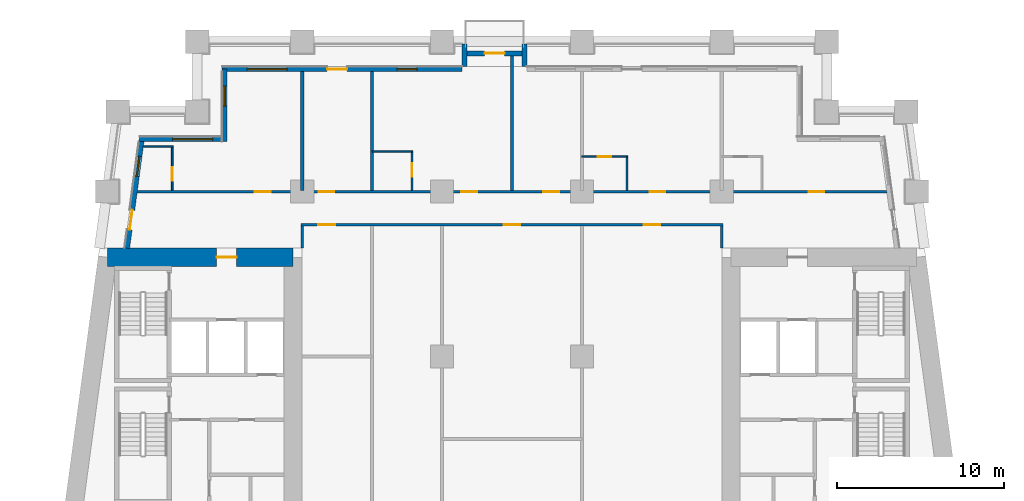
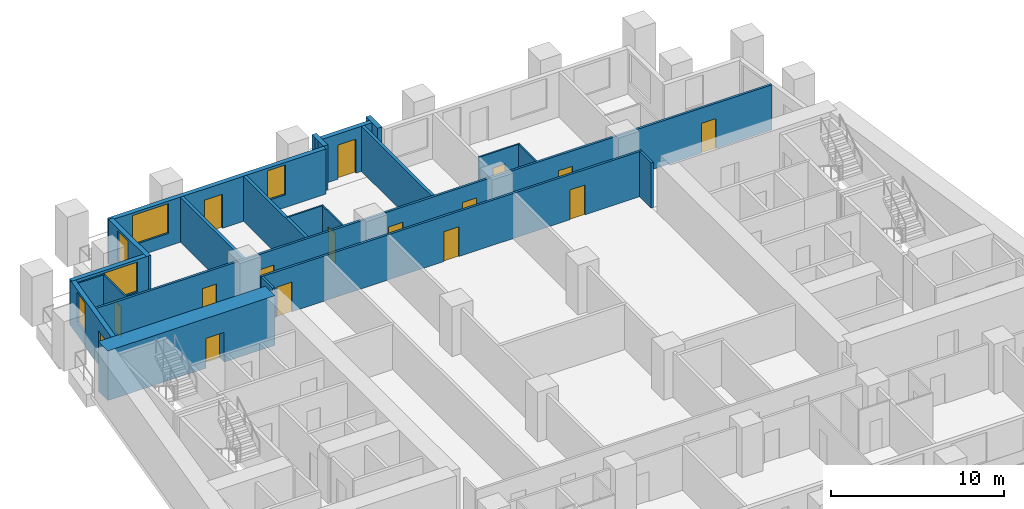
# One storey, part 6 of 12: 21 walls, 16 doors, 5 windows, 21 openings.
"""IFC4 building model written with IfcOpenShell, lengths in metres."""

from ifc_helpers import new_model, si_unit, direction, frame, frame_2d, origin, place, context, subcontext, project, spatial, rectangle, extrude, material, layer, layer_set, type_object, element, fill, save


model = new_model("IFC4")

# Units and contexts
model_context = context("Model", 3, precision=1e-05, world=origin(), true_north=direction((0.0, 1.0)))
body_context = subcontext(model_context, "Body", "Model", "MODEL_VIEW")
ifc_project = project(units=[si_unit("LENGTHUNIT", "METRE"), si_unit("AREAUNIT", "SQUARE_METRE"), si_unit("VOLUMEUNIT", "CUBIC_METRE"), si_unit("PLANEANGLEUNIT", "RADIAN"), si_unit("MASSUNIT", "GRAM", prefix="KILO")], contexts=[model_context])

# Site, building, storey
site_placement = place(None, origin())
site = spatial("IfcSite", under=ifc_project, at=site_placement, CompositionType="ELEMENT")
building_placement = place(site_placement, origin())
building = spatial("IfcBuilding", under=site, at=building_placement, Name="Candeia Pilgrim Tower and Theatre", CompositionType="ELEMENT")
storey_placement = place(building_placement, frame((0.0, 0.0, 74.0)))
storey = spatial("IfcBuildingStorey", under=building, at=storey_placement, Name="L16", CompositionType="ELEMENT", Elevation=74.0)

# Wall, opening, door
ifc_material_1 = material(Name="Concrete C80/95", Category="concrete")
ifc_layer_1 = layer(ifc_material_1, 1.10009765625)
ifc_layer_set_1 = layer_set([ifc_layer_1], Name="Core wall 1100 C80/95")
wall_type_1 = type_object("IfcWallType", Name="Core wall 1100 C80/95", PredefinedType="SHEAR", material=ifc_layer_set_1)
wall_1_placement = place(storey_placement, frame((89.111572265625, 131.85009765625, 0.0), z_axis=(0.0, 0.0, 1.0), x_axis=(1.0, 0.0, 0.0)))
wall_1 = element("IfcWall", 1, at=wall_1_placement, inside=storey, type_object=wall_type_1, Name="Core wall W1", PredefinedType="SHEAR", context=body_context, shape_type="SweptSolid", body=[
    extrude(rectangle(XDim=11.138427734375, YDim=1.10009765625, at=frame_2d((5.5693359375, 0.0))), origin(), (0.0, 0.0, 1.0), 3.5),
])
opening_1_placement = place(wall_1_placement, frame((6.5517578125, 0.0, 0.0)))
opening_1 = element("IfcOpeningElement", 2, at=opening_1_placement, cuts=wall_1, Name="Opening L16-D047", PredefinedType="OPENING", context=body_context, shape_type="SweptSolid", body=[
    extrude(rectangle(XDim=1.199951171875, YDim=2.10009765625, at=frame_2d((0.60009765625, 1.050048828125))), frame((0.0, 0.56005859375, 0.0), z_axis=(0.0, -1.0, 0.0), x_axis=(1.0, 0.0, 0.0)), (0.0, 0.0, 1.0), 1.1201171875),
])
ifc_material_2 = material(Name="Steel fire door set", Category="steel")
door_type_1 = type_object("IfcDoorType", Name="D-1200-FD60", OperationType="NOTDEFINED", PredefinedType="DOOR", material=ifc_material_2)
door_1_placement = place(opening_1_placement, origin())
door_1 = element("IfcDoor", 3, at=door_1_placement, inside=storey, type_object=door_type_1, Name="Door L16-D047", OperationType="SINGLE_SWING_LEFT", OverallHeight=2.10009765625, OverallWidth=1.199951171875, PredefinedType="DOOR", context=body_context, shape_type="SweptSolid", body=[
    extrude(rectangle(XDim=1.199951171875, YDim=2.10009765625, at=frame_2d((0.60009765625, 1.050048828125))), frame((0.0, 0.02490234375, 0.0), z_axis=(0.0, -1.0, 0.0), x_axis=(1.0, 0.0, 0.0)), (0.0, 0.0, 1.0), 0.050048828125),
])
fill(opening_1, door_1)

# Wall, openings, door, windows
ifc_material_3 = material(Name="Ceramic block masonry", Category="masonry")
ifc_layer_2 = layer(ifc_material_3, 0.300048828125)
ifc_layer_set_2 = layer_set([ifc_layer_2], Name="EW1 glazing-line wall 300")
wall_type_2 = type_object("IfcWallType", Name="EW1 glazing-line wall 300", PredefinedType="SOLIDWALL", material=ifc_layer_set_2)
wall_2_placement = place(storey_placement, frame((110.39990234375, 143.14990234375, 0.0), z_axis=(0.0, 0.0, 1.0), x_axis=(-1.0, 0.0, 0.0)))
wall_2 = element("IfcWall", 4, at=wall_2_placement, inside=storey, type_object=wall_type_2, Name="External wall L16-6.1", PredefinedType="SOLIDWALL", context=body_context, shape_type="SweptSolid", body=[
    extrude(rectangle(XDim=14.39990234375, YDim=0.300048828125, at=frame_2d((7.199951171875, 0.0))), origin(), (0.0, 0.0, 1.0), 3.179931640625),
])
opening_2_placement = place(wall_2_placement, frame((2.699951171875, 0.0, 0.89990234375)))
opening_2 = element("IfcOpeningElement", 5, at=opening_2_placement, cuts=wall_2, Name="Opening W-B", PredefinedType="OPENING", context=body_context, shape_type="SweptSolid", body=[
    extrude(rectangle(XDim=1.199951171875, YDim=2.10009765625, at=frame_2d((0.60009765625, 1.050048828125))), frame((0.0, 0.16015625, 0.0), z_axis=(0.0, -1.0, 0.0), x_axis=(1.0, 0.0, 0.0)), (0.0, 0.0, 1.0), 0.320068359375),
])
opening_3_placement = place(wall_2_placement, frame((6.89990234375, 0.0, 0.0)))
opening_3 = element("IfcOpeningElement", 6, at=opening_3_placement, cuts=wall_2, Name="Opening L16-ED179", PredefinedType="OPENING", context=body_context, shape_type="SweptSolid", body=[
    extrude(rectangle(XDim=1.199951171875, YDim=2.39990234375, at=frame_2d((0.60009765625, 1.199951171875))), frame((0.0, 0.16015625, 0.0), z_axis=(0.0, -1.0, 0.0), x_axis=(1.0, 0.0, 0.0)), (0.0, 0.0, 1.0), 0.320068359375),
])
opening_4_placement = place(wall_2_placement, frame((10.5, 0.0, 0.89990234375)))
opening_4 = element("IfcOpeningElement", 7, at=opening_4_placement, cuts=wall_2, Name="Opening W-A", PredefinedType="OPENING", context=body_context, shape_type="SweptSolid", body=[
    extrude(rectangle(XDim=2.39990234375, YDim=2.10009765625, at=frame_2d((1.199951171875, 1.050048828125))), frame((0.0, 0.16015625, 0.0), z_axis=(0.0, -1.0, 0.0), x_axis=(1.0, 0.0, 0.0)), (0.0, 0.0, 1.0), 0.320068359375),
])
ifc_material_4 = material(Name="Aluminium framed glazed door", Category="aluminium")
door_type_2 = type_object("IfcDoorType", Name="Loggia door 1200x2400", OperationType="DOUBLE_DOOR_SINGLE_SWING", PredefinedType="DOOR", material=ifc_material_4)
door_2_placement = place(opening_3_placement, origin())
door_2 = element("IfcDoor", 8, at=door_2_placement, inside=storey, type_object=door_type_2, Name="Loggia door L16-ED179", OperationType="DOUBLE_DOOR_SINGLE_SWING", OverallHeight=2.39990234375, OverallWidth=1.199951171875, PredefinedType="DOOR", context=body_context, shape_type="SweptSolid", body=[
    extrude(rectangle(XDim=1.199951171875, YDim=2.39990234375, at=frame_2d((0.60009765625, 1.199951171875))), frame((0.0, 0.02490234375, 0.0), z_axis=(0.0, -1.0, 0.0), x_axis=(1.0, 0.0, 0.0)), (0.0, 0.0, 1.0), 0.050048828125),
])
fill(opening_3, door_2)
ifc_material_5 = material(Name="Aluminium framed double glazing", Category="aluminium")
window_type_1 = type_object("IfcWindowType", Name="W-A window 2400x2100", PartitioningType="DOUBLE_PANEL_VERTICAL", PredefinedType="WINDOW", material=ifc_material_5)
window_1_placement = place(opening_4_placement, origin())
window_1 = element("IfcWindow", 9, at=window_1_placement, inside=storey, type_object=window_type_1, Name="Window W-A L16", OverallHeight=2.10009765625, OverallWidth=2.39990234375, PartitioningType="SINGLE_PANEL", PredefinedType="WINDOW", context=body_context, shape_type="SweptSolid", body=[
    extrude(rectangle(XDim=2.39990234375, YDim=2.10009765625, at=frame_2d((1.199951171875, 1.050048828125))), frame((0.0, 0.030029296875, 0.0), z_axis=(0.0, -1.0, 0.0), x_axis=(1.0, 0.0, 0.0)), (0.0, 0.0, 1.0), 0.06005859375),
])
fill(opening_4, window_1)
window_type_2 = type_object("IfcWindowType", Name="W-B window 1200x2100", PartitioningType="SINGLE_PANEL", PredefinedType="WINDOW", material=ifc_material_5)
window_2_placement = place(opening_2_placement, origin())
window_2 = element("IfcWindow", 10, at=window_2_placement, inside=storey, type_object=window_type_2, Name="Window W-B L16", OverallHeight=2.10009765625, OverallWidth=1.199951171875, PartitioningType="SINGLE_PANEL", PredefinedType="WINDOW", context=body_context, shape_type="SweptSolid", body=[
    extrude(rectangle(XDim=1.199951171875, YDim=2.10009765625, at=frame_2d((0.60009765625, 1.050048828125))), frame((0.0, 0.030029296875, 0.0), z_axis=(0.0, -1.0, 0.0), x_axis=(1.0, 0.0, 0.0)), (0.0, 0.0, 1.0), 0.06005859375),
])
fill(opening_2, window_2)

# Wall, opening, window
wall_3_placement = place(storey_placement, frame((96.14990234375, 143.14990234375, 0.0), z_axis=(0.0, 0.0, 1.0), x_axis=(0.0, -1.0, 0.0)))
wall_3 = element("IfcWall", 11, at=wall_3_placement, inside=storey, type_object=wall_type_2, Name="External wall L16-7.0", PredefinedType="SOLIDWALL", context=body_context, shape_type="SweptSolid", body=[
    extrude(rectangle(XDim=4.349853515625, YDim=0.300048828125, at=frame_2d((2.1748046875, 0.0))), origin(), (0.0, 0.0, 1.0), 3.179931640625),
])
opening_5_placement = place(wall_3_placement, frame((1.02490234375, 0.0, 0.89990234375)))
opening_5 = element("IfcOpeningElement", 12, at=opening_5_placement, cuts=wall_3, Name="Opening W-B", PredefinedType="OPENING", context=body_context, shape_type="SweptSolid", body=[
    extrude(rectangle(XDim=1.199951171875, YDim=2.10009765625, at=frame_2d((0.60009765625, 1.050048828125))), frame((0.0, 0.16015625, 0.0), z_axis=(0.0, -1.0, 0.0), x_axis=(1.0, 0.0, 0.0)), (0.0, 0.0, 1.0), 0.320068359375),
])
window_3_placement = place(opening_5_placement, origin())
window_3 = element("IfcWindow", 13, at=window_3_placement, inside=storey, type_object=window_type_2, Name="Window W-B L16", OverallHeight=2.10009765625, OverallWidth=1.199951171875, PartitioningType="SINGLE_PANEL", PredefinedType="WINDOW", context=body_context, shape_type="SweptSolid", body=[
    extrude(rectangle(XDim=1.199951171875, YDim=2.10009765625, at=frame_2d((0.60009765625, 1.050048828125))), frame((0.0, 0.030029296875, 0.0), z_axis=(0.0, -1.0, 0.0), x_axis=(1.0, 0.0, 0.0)), (0.0, 0.0, 1.0), 0.06005859375),
])
fill(opening_5, window_3)

wall_4_placement = place(storey_placement, frame((96.14990234375, 138.949951171875, 0.0), z_axis=(0.0, 0.0, 1.0), x_axis=(-1.0, 0.0, 0.0)))
wall_4 = element("IfcWall", 14, at=wall_4_placement, inside=storey, type_object=wall_type_2, Name="External wall L16-8.0", PredefinedType="SOLIDWALL", context=body_context, shape_type="SweptSolid", body=[
    extrude(rectangle(XDim=5.103759765625, YDim=0.300048828125, at=frame_2d((2.5517578125, 0.0))), origin(), (0.0, 0.0, 1.0), 3.179931640625),
])
opening_6_placement = place(wall_4_placement, frame((0.72509765625, 0.0, 0.89990234375)))
opening_6 = element("IfcOpeningElement", 15, at=opening_6_placement, cuts=wall_4, Name="Opening W-A", PredefinedType="OPENING", context=body_context, shape_type="SweptSolid", body=[
    extrude(rectangle(XDim=2.39990234375, YDim=2.10009765625, at=frame_2d((1.199951171875, 1.050048828125))), frame((0.0, 0.16015625, 0.0), z_axis=(0.0, -1.0, 0.0), x_axis=(1.0, 0.0, 0.0)), (0.0, 0.0, 1.0), 0.320068359375),
])
window_4_placement = place(opening_6_placement, origin())
window_4 = element("IfcWindow", 16, at=window_4_placement, inside=storey, type_object=window_type_1, Name="Window W-A L16", OverallHeight=2.10009765625, OverallWidth=2.39990234375, PartitioningType="SINGLE_PANEL", PredefinedType="WINDOW", context=body_context, shape_type="SweptSolid", body=[
    extrude(rectangle(XDim=2.39990234375, YDim=2.10009765625, at=frame_2d((1.199951171875, 1.050048828125))), frame((0.0, 0.030029296875, 0.0), z_axis=(0.0, -1.0, 0.0), x_axis=(1.0, 0.0, 0.0)), (0.0, 0.0, 1.0), 0.06005859375),
])
fill(opening_6, window_4)

# Wall, openings, door, window
wall_5_placement = place(storey_placement, frame((91.177490234375, 138.949951171875, 0.0), z_axis=(0.0, 0.0, 1.0), x_axis=(-0.133426664613, -0.991058689065, 0.0)))
wall_5 = element("IfcWall", 17, at=wall_5_placement, inside=storey, type_object=wall_type_2, Name="External wall L16-9.0", PredefinedType="SOLIDWALL", context=body_context, shape_type="SweptSolid", body=[
    extrude(rectangle(XDim=6.609130859375, YDim=0.300048828125, at=frame_2d((3.3046875, 0.0))), origin(), (0.0, 0.0, 1.0), 3.179931640625),
])
opening_7_placement = place(wall_5_placement, frame((1.039306640625, 0.0, 0.89990234375)))
opening_7 = element("IfcOpeningElement", 18, at=opening_7_placement, cuts=wall_5, Name="Opening W-B", PredefinedType="OPENING", context=body_context, shape_type="SweptSolid", body=[
    extrude(rectangle(XDim=1.199951171875, YDim=2.10009765625, at=frame_2d((0.60009765625, 1.050048828125))), frame((0.0, 0.16015625, 0.0), z_axis=(0.0, -1.0, 0.0), x_axis=(1.0, 0.0, 0.0)), (0.0, 0.0, 1.0), 0.320068359375),
])
opening_8_placement = place(wall_5_placement, frame((4.293701171875, 0.0, 0.0)))
opening_8 = element("IfcOpeningElement", 19, at=opening_8_placement, cuts=wall_5, Name="Opening L16-ED181", PredefinedType="OPENING", context=body_context, shape_type="SweptSolid", body=[
    extrude(rectangle(XDim=1.199951171875, YDim=2.39990234375, at=frame_2d((0.60009765625, 1.199951171875))), frame((0.0, 0.16015625, 0.0), z_axis=(0.0, -1.0, 0.0), x_axis=(1.0, 0.0, 0.0)), (0.0, 0.0, 1.0), 0.320068359375),
])
door_3_placement = place(opening_8_placement, origin())
door_3 = element("IfcDoor", 20, at=door_3_placement, inside=storey, type_object=door_type_2, Name="Loggia door L16-ED181", OperationType="DOUBLE_DOOR_SINGLE_SWING", OverallHeight=2.39990234375, OverallWidth=1.199951171875, PredefinedType="DOOR", context=body_context, shape_type="SweptSolid", body=[
    extrude(rectangle(XDim=1.199951171875, YDim=2.39990234375, at=frame_2d((0.60009765625, 1.199951171875))), frame((0.0, 0.02490234375, 0.0), z_axis=(0.0, -1.0, 0.0), x_axis=(1.0, 0.0, 0.0)), (0.0, 0.0, 1.0), 0.050048828125),
])
fill(opening_8, door_3)
window_5_placement = place(opening_7_placement, origin())
window_5 = element("IfcWindow", 21, at=window_5_placement, inside=storey, type_object=window_type_2, Name="Window W-B L16", OverallHeight=2.10009765625, OverallWidth=1.199951171875, PartitioningType="SINGLE_PANEL", PredefinedType="WINDOW", context=body_context, shape_type="SweptSolid", body=[
    extrude(rectangle(XDim=1.199951171875, YDim=2.10009765625, at=frame_2d((0.60009765625, 1.050048828125))), frame((0.0, 0.030029296875, 0.0), z_axis=(0.0, -1.0, 0.0), x_axis=(1.0, 0.0, 0.0)), (0.0, 0.0, 1.0), 0.06005859375),
])
fill(opening_7, window_5)

# Walls
ifc_layer_3 = layer(ifc_material_3, 0.300048828125)
ifc_layer_set_3 = layer_set([ifc_layer_3], Name="EW2 entrance infill wall 300")
wall_type_3 = type_object("IfcWallType", Name="EW2 entrance infill wall 300", PredefinedType="SOLIDWALL", material=ifc_layer_set_3)
for number, where, z_axis, x_axis, name in (
    (22, (114.14990234375, 143.300048828125, 0.0), (0.0, 0.0, 1.0), (0.0, 1.0, 0.0), "Alcove wall L16"),
    (23, (110.550048828125, 143.300048828125, 0.0), (0.0, 0.0, 1.0), (0.0, 1.0, 0.0), "Alcove wall L16"),
):
    element("IfcWall", number, at=place(storey_placement, frame(where, z_axis=z_axis, x_axis=x_axis)), inside=storey, type_object=wall_type_3, Name=name, PredefinedType="SOLIDWALL", context=body_context, shape_type="SweptSolid", body=[
        extrude(rectangle(XDim=1.349853515625, YDim=0.300048828125, at=frame_2d((0.6748046875, 0.0))), origin(), (0.0, 0.0, 1.0), 3.179931640625),
    ])

# Wall, opening, door
wall_6_placement = place(storey_placement, frame((114.300048828125, 144.10009765625, 0.0), z_axis=(0.0, 0.0, 1.0), x_axis=(-1.0, 0.0, 0.0)))
wall_6 = element("IfcWall", 24, at=wall_6_placement, inside=storey, type_object=wall_type_3, Name="Alcove wall L16", PredefinedType="SOLIDWALL", context=body_context, shape_type="SweptSolid", body=[
    extrude(rectangle(XDim=3.900146484375, YDim=0.300048828125, at=frame_2d((1.9501953125, 0.0))), origin(), (0.0, 0.0, 1.0), 3.179931640625),
])
opening_9_placement = place(wall_6_placement, frame((1.35009765625, 0.0, 0.0)))
opening_9 = element("IfcOpeningElement", 25, at=opening_9_placement, cuts=wall_6, Name="Opening L16-ED180", PredefinedType="OPENING", context=body_context, shape_type="SweptSolid", body=[
    extrude(rectangle(XDim=1.199951171875, YDim=2.39990234375, at=frame_2d((0.60009765625, 1.199951171875))), frame((0.0, 0.16015625, 0.0), z_axis=(0.0, -1.0, 0.0), x_axis=(1.0, 0.0, 0.0)), (0.0, 0.0, 1.0), 0.320068359375),
])
door_4_placement = place(opening_9_placement, origin())
door_4 = element("IfcDoor", 26, at=door_4_placement, inside=storey, type_object=door_type_2, Name="Balcony door L16-ED180", OperationType="DOUBLE_DOOR_SINGLE_SWING", OverallHeight=2.39990234375, OverallWidth=1.199951171875, PredefinedType="DOOR", context=body_context, shape_type="SweptSolid", body=[
    extrude(rectangle(XDim=1.199951171875, YDim=2.39990234375, at=frame_2d((0.60009765625, 1.199951171875))), frame((0.0, 0.02490234375, 0.0), z_axis=(0.0, -1.0, 0.0), x_axis=(1.0, 0.0, 0.0)), (0.0, 0.0, 1.0), 0.050048828125),
])
fill(opening_9, door_4)

ifc_material_6 = material(Name="Gypsum board partition on steel studs", Category="steel")
ifc_layer_4 = layer(ifc_material_6, 0.10009765625)
ifc_layer_set_4 = layer_set([ifc_layer_4], Name="PW-100 room partition")
wall_type_4 = type_object("IfcWallType", Name="PW-100 room partition", PredefinedType="PARTITIONING", material=ifc_layer_set_4)
wall_7_placement = place(storey_placement, frame((117.60009765625, 137.89990234375, 0.0), z_axis=(0.0, 0.0, 1.0), x_axis=(1.0, 0.0, 0.0)))
wall_7 = element("IfcWall", 27, at=wall_7_placement, inside=storey, type_object=wall_type_4, Name="Room partition L16-039", PredefinedType="PARTITIONING", context=body_context, shape_type="SweptSolid", body=[
    extrude(rectangle(XDim=2.75, YDim=0.10009765625, at=frame_2d((1.375, 0.0))), origin(), (0.0, 0.0, 1.0), 3.179931640625),
])
opening_10_placement = place(wall_7_placement, frame((0.949951171875, 0.0, 0.0)))
opening_10 = element("IfcOpeningElement", 28, at=opening_10_placement, cuts=wall_7, Name="Opening L16-D035", PredefinedType="OPENING", context=body_context, shape_type="SweptSolid", body=[
    extrude(rectangle(XDim=0.800048828125, YDim=2.10009765625, at=frame_2d((0.39990234375, 1.050048828125))), frame((0.0, 0.06005859375, 0.0), z_axis=(0.0, -1.0, 0.0), x_axis=(1.0, 0.0, 0.0)), (0.0, 0.0, 1.0), 0.1201171875),
])
ifc_material_7 = material(Name="Timber door leaf", Category="wood")
door_type_3 = type_object("IfcDoorType", Name="D-800", OperationType="NOTDEFINED", PredefinedType="DOOR", material=ifc_material_7)
door_5_placement = place(opening_10_placement, origin())
door_5 = element("IfcDoor", 29, at=door_5_placement, inside=storey, type_object=door_type_3, Name="Door L16-D035", OperationType="SINGLE_SWING_LEFT", OverallHeight=2.10009765625, OverallWidth=0.800048828125, PredefinedType="DOOR", context=body_context, shape_type="SweptSolid", body=[
    extrude(rectangle(XDim=0.800048828125, YDim=2.10009765625, at=frame_2d((0.39990234375, 1.050048828125))), frame((0.0, 0.02490234375, 0.0), z_axis=(0.0, -1.0, 0.0), x_axis=(1.0, 0.0, 0.0)), (0.0, 0.0, 1.0), 0.050048828125),
])
fill(opening_10, door_5)

# Walls
wall_8_placement = place(storey_placement, frame((105.0, 138.199951171875, 0.0), z_axis=(0.0, 0.0, 1.0), x_axis=(1.0, 0.0, 0.0)))
element("IfcWall", 30, at=wall_8_placement, inside=storey, type_object=wall_type_4, Name="Room partition L16-041", PredefinedType="PARTITIONING", context=body_context, shape_type="SweptSolid", body=[
    extrude(rectangle(XDim=2.449951171875, YDim=0.10009765625, at=frame_2d((1.22509765625, 0.0))), origin(), (0.0, 0.0, 1.0), 3.179931640625),
])
wall_9_placement = place(storey_placement, frame((91.258056640625, 138.5, 0.0), z_axis=(0.0, 0.0, 1.0), x_axis=(1.0, 0.0, 0.0)))
element("IfcWall", 31, at=wall_9_placement, inside=storey, type_object=wall_type_4, Name="Room partition L16-042", PredefinedType="PARTITIONING", context=body_context, shape_type="SweptSolid", body=[
    extrude(rectangle(XDim=1.7919921875, YDim=0.10009765625, at=frame_2d((0.89599609375, 0.0))), origin(), (0.0, 0.0, 1.0), 3.179931640625),
])

# Wall, opening, door
wall_10_placement = place(storey_placement, frame((93.0, 135.875, 0.0), z_axis=(0.0, 0.0, 1.0), x_axis=(0.0, 1.0, 0.0)))
wall_10 = element("IfcWall", 32, at=wall_10_placement, inside=storey, type_object=wall_type_4, Name="Room partition L16-055", PredefinedType="PARTITIONING", context=body_context, shape_type="SweptSolid", body=[
    extrude(rectangle(XDim=2.574951171875, YDim=0.10009765625, at=frame_2d((1.28759765625, 0.0))), origin(), (0.0, 0.0, 1.0), 3.179931640625),
])
opening_11_placement = place(wall_10_placement, frame((0.574951171875, 0.0, 0.0)))
opening_11 = element("IfcOpeningElement", 33, at=opening_11_placement, cuts=wall_10, Name="Opening L16-D029", PredefinedType="OPENING", context=body_context, shape_type="SweptSolid", body=[
    extrude(rectangle(XDim=0.800048828125, YDim=2.10009765625, at=frame_2d((0.39990234375, 1.050048828125))), frame((0.0, 0.06005859375, 0.0), z_axis=(0.0, -1.0, 0.0), x_axis=(1.0, 0.0, 0.0)), (0.0, 0.0, 1.0), 0.1201171875),
])
door_6_placement = place(opening_11_placement, origin())
door_6 = element("IfcDoor", 34, at=door_6_placement, inside=storey, type_object=door_type_3, Name="Door L16-D029", OperationType="SINGLE_SWING_LEFT", OverallHeight=2.10009765625, OverallWidth=0.800048828125, PredefinedType="DOOR", context=body_context, shape_type="SweptSolid", body=[
    extrude(rectangle(XDim=0.800048828125, YDim=2.10009765625, at=frame_2d((0.39990234375, 1.050048828125))), frame((0.0, 0.02490234375, 0.0), z_axis=(0.0, -1.0, 0.0), x_axis=(1.0, 0.0, 0.0)), (0.0, 0.0, 1.0), 0.050048828125),
])
fill(opening_11, door_6)

wall_11_placement = place(storey_placement, frame((107.39990234375, 135.875, 0.0), z_axis=(0.0, 0.0, 1.0), x_axis=(0.0, 1.0, 0.0)))
wall_11 = element("IfcWall", 35, at=wall_11_placement, inside=storey, type_object=wall_type_4, Name="Room partition L16-072", PredefinedType="PARTITIONING", context=body_context, shape_type="SweptSolid", body=[
    extrude(rectangle(XDim=2.27490234375, YDim=0.10009765625, at=frame_2d((1.137451171875, 0.0))), origin(), (0.0, 0.0, 1.0), 3.179931640625),
])
opening_12_placement = place(wall_11_placement, frame((0.81494140625, 0.0, 0.0)))
opening_12 = element("IfcOpeningElement", 36, at=opening_12_placement, cuts=wall_11, Name="Opening L16-D032", PredefinedType="OPENING", context=body_context, shape_type="SweptSolid", body=[
    extrude(rectangle(XDim=0.800048828125, YDim=2.10009765625, at=frame_2d((0.39990234375, 1.050048828125))), frame((0.0, 0.06005859375, 0.0), z_axis=(0.0, -1.0, 0.0), x_axis=(1.0, 0.0, 0.0)), (0.0, 0.0, 1.0), 0.1201171875),
])
door_7_placement = place(opening_12_placement, origin())
door_7 = element("IfcDoor", 37, at=door_7_placement, inside=storey, type_object=door_type_3, Name="Door L16-D032", OperationType="SINGLE_SWING_RIGHT", OverallHeight=2.10009765625, OverallWidth=0.800048828125, PredefinedType="DOOR", context=body_context, shape_type="SweptSolid", body=[
    extrude(rectangle(XDim=0.800048828125, YDim=2.10009765625, at=frame_2d((0.39990234375, 1.050048828125))), frame((0.0, 0.02490234375, 0.0), z_axis=(0.0, -1.0, 0.0), x_axis=(1.0, 0.0, 0.0)), (0.0, 0.0, 1.0), 0.050048828125),
])
fill(opening_12, door_7)

# Wall
wall_12_placement = place(storey_placement, frame((120.300048828125, 135.875, 0.0), z_axis=(0.0, 0.0, 1.0), x_axis=(0.0, 1.0, 0.0)))
element("IfcWall", 38, at=wall_12_placement, inside=storey, type_object=wall_type_4, Name="Room partition L16-078", PredefinedType="PARTITIONING", context=body_context, shape_type="SweptSolid", body=[
    extrude(rectangle(XDim=1.97509765625, YDim=0.10009765625, at=frame_2d((0.987548828125, 0.0))), origin(), (0.0, 0.0, 1.0), 3.179931640625),
])

# Wall, openings, doors
ifc_layer_5 = layer(ifc_material_6, 0.14990234375)
ifc_layer_set_5 = layer_set([ifc_layer_5], Name="PW-150 unit wall")
wall_type_5 = type_object("IfcWallType", Name="PW-150 unit wall", PredefinedType="PARTITIONING", material=ifc_layer_set_5)
wall_13_placement = place(storey_placement, frame((100.72509765625, 133.800048828125, 0.0), z_axis=(0.0, 0.0, 1.0), x_axis=(1.0, 0.0, 0.0)))
wall_13 = element("IfcWall", 39, at=wall_13_placement, inside=storey, type_object=wall_type_5, Name="Unit wall L16-037", PredefinedType="PARTITIONING", context=body_context, shape_type="SweptSolid", body=[
    extrude(rectangle(XDim=25.349853515625, YDim=0.14990234375, at=frame_2d((12.6748046875, 0.0))), origin(), (0.0, 0.0, 1.0), 3.179931640625),
])
opening_13_placement = place(wall_13_placement, frame((1.050048828125, 0.0, 0.0)))
opening_13 = element("IfcOpeningElement", 40, at=opening_13_placement, cuts=wall_13, Name="Opening L16-D040", PredefinedType="OPENING", context=body_context, shape_type="SweptSolid", body=[
    extrude(rectangle(XDim=1.0, YDim=2.10009765625, at=frame_2d((0.5, 1.050048828125))), frame((0.0, 0.0849609375, 0.0), z_axis=(0.0, -1.0, 0.0), x_axis=(1.0, 0.0, 0.0)), (0.0, 0.0, 1.0), 0.169921875),
])
opening_14_placement = place(wall_13_placement, frame((12.175048828125, 0.0, 0.0)))
opening_14 = element("IfcOpeningElement", 41, at=opening_14_placement, cuts=wall_13, Name="Opening L16-D043", PredefinedType="OPENING", context=body_context, shape_type="SweptSolid", body=[
    extrude(rectangle(XDim=1.0, YDim=2.10009765625, at=frame_2d((0.5, 1.050048828125))), frame((0.0, 0.0849609375, 0.0), z_axis=(0.0, -1.0, 0.0), x_axis=(1.0, 0.0, 0.0)), (0.0, 0.0, 1.0), 0.169921875),
])
opening_15_placement = place(wall_13_placement, frame((20.574951171875, 0.0, 0.0)))
opening_15 = element("IfcOpeningElement", 42, at=opening_15_placement, cuts=wall_13, Name="Opening L16-D045", PredefinedType="OPENING", context=body_context, shape_type="SweptSolid", body=[
    extrude(rectangle(XDim=1.0, YDim=2.10009765625, at=frame_2d((0.5, 1.050048828125))), frame((0.0, 0.0849609375, 0.0), z_axis=(0.0, -1.0, 0.0), x_axis=(1.0, 0.0, 0.0)), (0.0, 0.0, 1.0), 0.169921875),
])
door_type_4 = type_object("IfcDoorType", Name="D-1000-FD30S", OperationType="NOTDEFINED", PredefinedType="DOOR", material=ifc_material_2)
door_8_placement = place(opening_13_placement, origin())
door_8 = element("IfcDoor", 43, at=door_8_placement, inside=storey, type_object=door_type_4, Name="Door L16-D040", OperationType="SINGLE_SWING_RIGHT", OverallHeight=2.10009765625, OverallWidth=1.0, PredefinedType="DOOR", context=body_context, shape_type="SweptSolid", body=[
    extrude(rectangle(XDim=1.0, YDim=2.10009765625, at=frame_2d((0.5, 1.050048828125))), frame((0.0, 0.02490234375, 0.0), z_axis=(0.0, -1.0, 0.0), x_axis=(1.0, 0.0, 0.0)), (0.0, 0.0, 1.0), 0.050048828125),
])
fill(opening_13, door_8)
door_9_placement = place(opening_14_placement, origin())
door_9 = element("IfcDoor", 44, at=door_9_placement, inside=storey, type_object=door_type_4, Name="Door L16-D043", OperationType="SINGLE_SWING_LEFT", OverallHeight=2.10009765625, OverallWidth=1.0, PredefinedType="DOOR", context=body_context, shape_type="SweptSolid", body=[
    extrude(rectangle(XDim=1.0, YDim=2.10009765625, at=frame_2d((0.5, 1.050048828125))), frame((0.0, 0.02490234375, 0.0), z_axis=(0.0, -1.0, 0.0), x_axis=(1.0, 0.0, 0.0)), (0.0, 0.0, 1.0), 0.050048828125),
])
fill(opening_14, door_9)
door_10_placement = place(opening_15_placement, origin())
door_10 = element("IfcDoor", 45, at=door_10_placement, inside=storey, type_object=door_type_4, Name="Door L16-D045", OperationType="SINGLE_SWING_LEFT", OverallHeight=2.10009765625, OverallWidth=1.0, PredefinedType="DOOR", context=body_context, shape_type="SweptSolid", body=[
    extrude(rectangle(XDim=1.0, YDim=2.10009765625, at=frame_2d((0.5, 1.050048828125))), frame((0.0, 0.02490234375, 0.0), z_axis=(0.0, -1.0, 0.0), x_axis=(1.0, 0.0, 0.0)), (0.0, 0.0, 1.0), 0.050048828125),
])
fill(opening_15, door_10)

wall_14_placement = place(storey_placement, frame((90.89453125, 135.800048828125, 0.0), z_axis=(0.0, 0.0, 1.0), x_axis=(1.0, 0.0, 0.0)))
wall_14 = element("IfcWall", 46, at=wall_14_placement, inside=storey, type_object=wall_type_5, Name="Unit wall L16-038", PredefinedType="PARTITIONING", context=body_context, shape_type="SweptSolid", body=[
    extrude(rectangle(XDim=45.010986328125, YDim=0.14990234375, at=frame_2d((22.50537109375, 0.0))), origin(), (0.0, 0.0, 1.0), 3.179931640625),
])
opening_16_placement = place(wall_14_placement, frame((7.068359375, 0.0, 0.0)))
opening_16 = element("IfcOpeningElement", 47, at=opening_16_placement, cuts=wall_14, Name="Opening L16-D028", PredefinedType="OPENING", context=body_context, shape_type="SweptSolid", body=[
    extrude(rectangle(XDim=0.949951171875, YDim=2.10009765625, at=frame_2d((0.47509765625, 1.050048828125))), frame((0.0, 0.0849609375, 0.0), z_axis=(0.0, -1.0, 0.0), x_axis=(1.0, 0.0, 0.0)), (0.0, 0.0, 1.0), 0.169921875),
])
opening_17_placement = place(wall_14_placement, frame((10.892333984375, 0.0, 0.0)))
opening_17 = element("IfcOpeningElement", 48, at=opening_17_placement, cuts=wall_14, Name="Opening L16-D030", PredefinedType="OPENING", context=body_context, shape_type="SweptSolid", body=[
    extrude(rectangle(XDim=0.949951171875, YDim=2.10009765625, at=frame_2d((0.47509765625, 1.050048828125))), frame((0.0, 0.0849609375, 0.0), z_axis=(0.0, -1.0, 0.0), x_axis=(1.0, 0.0, 0.0)), (0.0, 0.0, 1.0), 0.169921875),
])
opening_18_placement = place(wall_14_placement, frame((19.46533203125, 0.0, 0.0)))
opening_18 = element("IfcOpeningElement", 49, at=opening_18_placement, cuts=wall_14, Name="Opening L16-D031", PredefinedType="OPENING", context=body_context, shape_type="SweptSolid", body=[
    extrude(rectangle(XDim=0.949951171875, YDim=2.10009765625, at=frame_2d((0.47509765625, 1.050048828125))), frame((0.0, 0.0849609375, 0.0), z_axis=(0.0, -1.0, 0.0), x_axis=(1.0, 0.0, 0.0)), (0.0, 0.0, 1.0), 0.169921875),
])
opening_19_placement = place(wall_14_placement, frame((24.385498046875, 0.0, 0.0)))
opening_19 = element("IfcOpeningElement", 50, at=opening_19_placement, cuts=wall_14, Name="Opening L16-D033", PredefinedType="OPENING", context=body_context, shape_type="SweptSolid", body=[
    extrude(rectangle(XDim=0.949951171875, YDim=2.10009765625, at=frame_2d((0.47509765625, 1.050048828125))), frame((0.0, 0.0849609375, 0.0), z_axis=(0.0, -1.0, 0.0), x_axis=(1.0, 0.0, 0.0)), (0.0, 0.0, 1.0), 0.169921875),
])
opening_20_placement = place(wall_14_placement, frame((30.767333984375, 0.0, 0.0)))
opening_20 = element("IfcOpeningElement", 51, at=opening_20_placement, cuts=wall_14, Name="Opening L16-D034", PredefinedType="OPENING", context=body_context, shape_type="SweptSolid", body=[
    extrude(rectangle(XDim=0.949951171875, YDim=2.10009765625, at=frame_2d((0.47509765625, 1.050048828125))), frame((0.0, 0.0849609375, 0.0), z_axis=(0.0, -1.0, 0.0), x_axis=(1.0, 0.0, 0.0)), (0.0, 0.0, 1.0), 0.169921875),
])
opening_21_placement = place(wall_14_placement, frame((40.314453125, 0.0, 0.0)))
opening_21 = element("IfcOpeningElement", 52, at=opening_21_placement, cuts=wall_14, Name="Opening L16-D036", PredefinedType="OPENING", context=body_context, shape_type="SweptSolid", body=[
    extrude(rectangle(XDim=0.949951171875, YDim=2.10009765625, at=frame_2d((0.47509765625, 1.050048828125))), frame((0.0, 0.0849609375, 0.0), z_axis=(0.0, -1.0, 0.0), x_axis=(1.0, 0.0, 0.0)), (0.0, 0.0, 1.0), 0.169921875),
])
door_type_5 = type_object("IfcDoorType", Name="D-950-FD30S", OperationType="NOTDEFINED", PredefinedType="DOOR", material=ifc_material_2)
door_11_placement = place(opening_16_placement, origin())
door_11 = element("IfcDoor", 53, at=door_11_placement, inside=storey, type_object=door_type_5, Name="Door L16-D028", OperationType="SINGLE_SWING_RIGHT", OverallHeight=2.10009765625, OverallWidth=0.949951171875, PredefinedType="DOOR", context=body_context, shape_type="SweptSolid", body=[
    extrude(rectangle(XDim=0.949951171875, YDim=2.10009765625, at=frame_2d((0.47509765625, 1.050048828125))), frame((0.0, 0.02490234375, 0.0), z_axis=(0.0, -1.0, 0.0), x_axis=(1.0, 0.0, 0.0)), (0.0, 0.0, 1.0), 0.050048828125),
])
fill(opening_16, door_11)
door_12_placement = place(opening_17_placement, origin())
door_12 = element("IfcDoor", 54, at=door_12_placement, inside=storey, type_object=door_type_5, Name="Door L16-D030", OperationType="SINGLE_SWING_RIGHT", OverallHeight=2.10009765625, OverallWidth=0.949951171875, PredefinedType="DOOR", context=body_context, shape_type="SweptSolid", body=[
    extrude(rectangle(XDim=0.949951171875, YDim=2.10009765625, at=frame_2d((0.47509765625, 1.050048828125))), frame((0.0, 0.02490234375, 0.0), z_axis=(0.0, -1.0, 0.0), x_axis=(1.0, 0.0, 0.0)), (0.0, 0.0, 1.0), 0.050048828125),
])
fill(opening_17, door_12)
door_13_placement = place(opening_18_placement, origin())
door_13 = element("IfcDoor", 55, at=door_13_placement, inside=storey, type_object=door_type_5, Name="Door L16-D031", OperationType="SINGLE_SWING_LEFT", OverallHeight=2.10009765625, OverallWidth=0.949951171875, PredefinedType="DOOR", context=body_context, shape_type="SweptSolid", body=[
    extrude(rectangle(XDim=0.949951171875, YDim=2.10009765625, at=frame_2d((0.47509765625, 1.050048828125))), frame((0.0, 0.02490234375, 0.0), z_axis=(0.0, -1.0, 0.0), x_axis=(1.0, 0.0, 0.0)), (0.0, 0.0, 1.0), 0.050048828125),
])
fill(opening_18, door_13)
door_14_placement = place(opening_19_placement, origin())
door_14 = element("IfcDoor", 56, at=door_14_placement, inside=storey, type_object=door_type_5, Name="Door L16-D033", OperationType="SINGLE_SWING_LEFT", OverallHeight=2.10009765625, OverallWidth=0.949951171875, PredefinedType="DOOR", context=body_context, shape_type="SweptSolid", body=[
    extrude(rectangle(XDim=0.949951171875, YDim=2.10009765625, at=frame_2d((0.47509765625, 1.050048828125))), frame((0.0, 0.02490234375, 0.0), z_axis=(0.0, -1.0, 0.0), x_axis=(1.0, 0.0, 0.0)), (0.0, 0.0, 1.0), 0.050048828125),
])
fill(opening_19, door_14)
door_15_placement = place(opening_20_placement, origin())
door_15 = element("IfcDoor", 57, at=door_15_placement, inside=storey, type_object=door_type_5, Name="Door L16-D034", OperationType="SINGLE_SWING_RIGHT", OverallHeight=2.10009765625, OverallWidth=0.949951171875, PredefinedType="DOOR", context=body_context, shape_type="SweptSolid", body=[
    extrude(rectangle(XDim=0.949951171875, YDim=2.10009765625, at=frame_2d((0.47509765625, 1.050048828125))), frame((0.0, 0.02490234375, 0.0), z_axis=(0.0, -1.0, 0.0), x_axis=(1.0, 0.0, 0.0)), (0.0, 0.0, 1.0), 0.050048828125),
])
fill(opening_20, door_15)
door_16_placement = place(opening_21_placement, origin())
door_16 = element("IfcDoor", 58, at=door_16_placement, inside=storey, type_object=door_type_5, Name="Door L16-D036", OperationType="SINGLE_SWING_RIGHT", OverallHeight=2.10009765625, OverallWidth=0.949951171875, PredefinedType="DOOR", context=body_context, shape_type="SweptSolid", body=[
    extrude(rectangle(XDim=0.949951171875, YDim=2.10009765625, at=frame_2d((0.47509765625, 1.050048828125))), frame((0.0, 0.02490234375, 0.0), z_axis=(0.0, -1.0, 0.0), x_axis=(1.0, 0.0, 0.0)), (0.0, 0.0, 1.0), 0.050048828125),
])
fill(opening_21, door_16)

# Walls
for number, where, z_axis, x_axis, name in (
    (59, (100.800048828125, 132.39990234375, 0.0), (0.0, 0.0, 1.0), (0.0, 1.0, 0.0), "Unit wall L16-066"),
    (60, (126.0, 132.39990234375, 0.0), (0.0, 0.0, 1.0), (0.0, 1.0, 0.0), "Unit wall L16-085"),
):
    element("IfcWall", number, at=place(storey_placement, frame(where, z_axis=z_axis, x_axis=x_axis)), inside=storey, type_object=wall_type_5, Name=name, PredefinedType="PARTITIONING", context=body_context, shape_type="SweptSolid", body=[
        extrude(rectangle(XDim=1.3251953125, YDim=0.14990234375, at=frame_2d((0.66259765625, 0.0))), origin(), (0.0, 0.0, 1.0), 3.179931640625),
    ])
ifc_layer_6 = layer(ifc_material_6, 0.199951171875)
ifc_layer_set_6 = layer_set([ifc_layer_6], Name="PW-200 party wall")
wall_type_6 = type_object("IfcWallType", Name="PW-200 party wall", PredefinedType="PARTITIONING", material=ifc_layer_set_6)
for number, where, z_axis, x_axis, name in (
    (61, (100.800048828125, 135.875, 0.0), (0.0, 0.0, 1.0), (0.0, 1.0, 0.0), "Party wall L16-064"),
    (62, (105.0, 135.875, 0.0), (0.0, 0.0, 1.0), (0.0, 1.0, 0.0), "Party wall L16-070"),
):
    element("IfcWall", number, at=place(storey_placement, frame(where, z_axis=z_axis, x_axis=x_axis)), inside=storey, type_object=wall_type_6, Name=name, PredefinedType="PARTITIONING", context=body_context, shape_type="SweptSolid", body=[
        extrude(rectangle(XDim=7.135009765625, YDim=0.199951171875, at=frame_2d((3.5673828125, 0.0))), origin(), (0.0, 0.0, 1.0), 3.179931640625),
    ])
wall_15_placement = place(storey_placement, frame((113.39990234375, 135.875, 0.0), z_axis=(0.0, 0.0, 1.0), x_axis=(0.0, 1.0, 0.0)))
element("IfcWall", 63, at=wall_15_placement, inside=storey, type_object=wall_type_6, Name="Party wall L16-075", PredefinedType="PARTITIONING", context=body_context, shape_type="SweptSolid", body=[
    extrude(rectangle(XDim=8.0849609375, YDim=0.199951171875, at=frame_2d((4.04248046875, 0.0))), origin(), (0.0, 0.0, 1.0), 3.179931640625),
])

save(model, "model.ifc")
